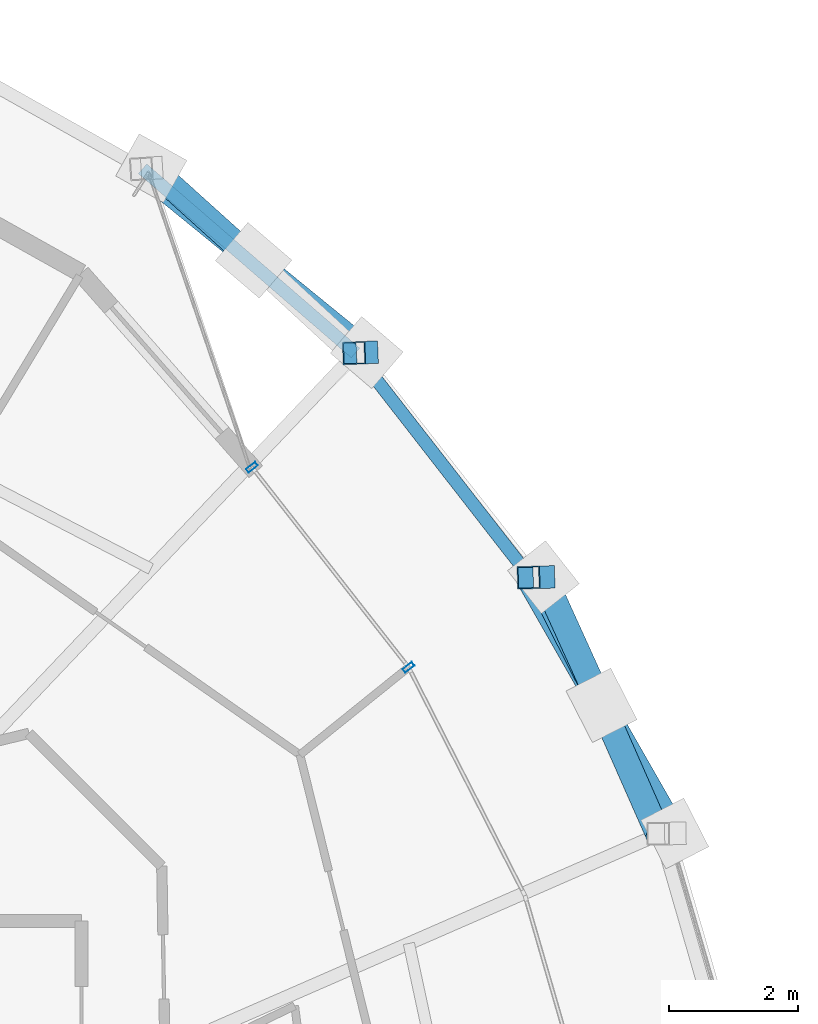
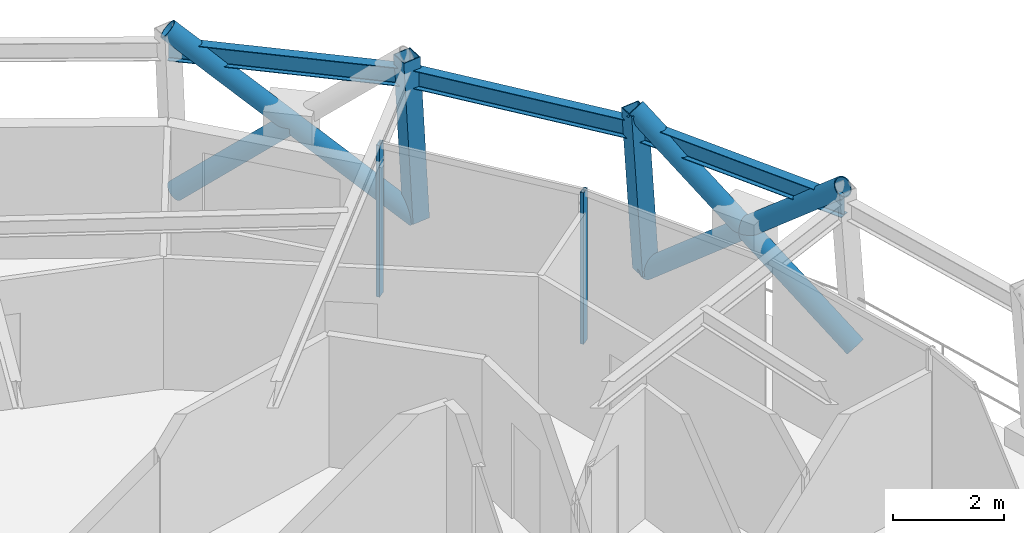
# One storey, part 8 of 15: 9 members, 3 beams, 1 element without a shape of its own.
"""IFC4 building model written with IfcOpenShell, lengths in metres."""

from ifc_helpers import new_model, si_unit, direction, frame, origin, origin_2d, place, context, subcontext, project, spatial, hollow_rectangle, hollow_circle, i_section, extrude, material, layer, layer_set, material_profile, profile_set, type_object, element, aggregate, save


model = new_model("IFC4")

# Units and contexts
model_context = context("Model", 3, precision=1e-05, world=origin(), true_north=direction((0.0, 1.0)))
body_context = subcontext(model_context, "Body", "Model", "MODEL_VIEW")
ifc_project = project(units=[si_unit("LENGTHUNIT", "METRE"), si_unit("AREAUNIT", "SQUARE_METRE"), si_unit("VOLUMEUNIT", "CUBIC_METRE"), si_unit("PLANEANGLEUNIT", "RADIAN"), si_unit("MASSUNIT", "GRAM", prefix="KILO")], contexts=[model_context])

# Site, building, storey
site_placement = place(None, origin())
site = spatial("IfcSite", under=ifc_project, at=site_placement, CompositionType="ELEMENT")
building_placement = place(site_placement, origin())
building = spatial("IfcBuilding", under=site, at=building_placement, Name="Veldorina Hangang Commons", CompositionType="ELEMENT")
storey_placement = place(building_placement, frame((0.0, 0.0, 261.60009765625)))
storey = spatial("IfcBuildingStorey", under=building, at=storey_placement, Name="L68", CompositionType="ELEMENT", Elevation=261.60009765625)

# Beams
ifc_material_1 = material(Name="Steel SM355-TMC", Category="steel")
ifc_material_profile_1 = material_profile(ifc_material_1, i_section(OverallWidth=0.199951171875, OverallDepth=0.39990234375, WebThickness=0.008056640625, FlangeThickness=0.012939453125, FilletRadius=0.012939453125, at=origin_2d()), Name="H-400x200x8x13")
ifc_profile_set_1 = profile_set([ifc_material_profile_1], Name="Steel SM355-TMC")
beam_type = type_object("IfcBeamType", Name="BM-RB400", PredefinedType="BEAM", material=ifc_profile_set_1)
beam_1_placement = place(storey_placement, frame((52.168701171875, 32.805908203125, 3.159912109375), z_axis=(-0.452285910788, 0.891873003797, 0.0), x_axis=(-0.891873003797, -0.452285910788, 0.0)))
element("IfcBeam", 1, at=beam_1_placement, inside=storey, type_object=beam_type, Name="L68 perimeter hoop ring beam 02", PredefinedType="BEAM", context=body_context, shape_type="SweptSolid", body=[
    extrude(i_section(OverallWidth=0.199951171875, OverallDepth=0.39990234375, WebThickness=0.008056640625, FlangeThickness=0.012939453125, FilletRadius=0.012939453125, at=origin_2d()), origin(), (0.0, 0.0, 1.0), 4.460205078125),
])
beam_2_placement = place(storey_placement, frame((50.1513671875, 36.783935546875, 3.159912109375), z_axis=(-0.614319180396, 0.78905763072, 0.0), x_axis=(-0.78905763072, -0.614319180396, 0.0)))
element("IfcBeam", 2, at=beam_2_placement, inside=storey, type_object=beam_type, Name="L68 perimeter hoop ring beam 03", PredefinedType="BEAM", context=body_context, shape_type="SweptSolid", body=[
    extrude(i_section(OverallWidth=0.199951171875, OverallDepth=0.39990234375, WebThickness=0.008056640625, FlangeThickness=0.012939453125, FilletRadius=0.012939453125, at=origin_2d()), origin(), (0.0, 0.0, 1.0), 4.419189453125),
])
beam_3_placement = place(storey_placement, frame((47.4365234375, 40.27099609375, 3.159912109375), z_axis=(-0.756305697563, 0.654218382372, 0.0), x_axis=(-0.654218382372, -0.756305697563, 0.0)))
element("IfcBeam", 3, at=beam_3_placement, inside=storey, type_object=beam_type, Name="L68 perimeter hoop ring beam 04", PredefinedType="BEAM", context=body_context, shape_type="SweptSolid", body=[
    extrude(i_section(OverallWidth=0.199951171875, OverallDepth=0.39990234375, WebThickness=0.008056640625, FlangeThickness=0.012939453125, FilletRadius=0.012939453125, at=origin_2d()), origin(), (0.0, 0.0, 1.0), 4.3740234375),
])

# Curtain wall, members
ifc_material_2 = material(Name="Glass Low-E Selective", Category="glass")
ifc_layer = layer(ifc_material_2, 0.179931640625)
ifc_layer_set = layer_set([ifc_layer], Name="Glass Low-E Selective")
curtain_wall_type = type_object("IfcCurtainWallType", Name="CW-SYS-Z3", PredefinedType="NOTDEFINED", material=ifc_layer_set)
curtain_wall_placement = place(storey_placement, origin())
curtain_wall = element("IfcCurtainWall", 4, at=curtain_wall_placement, inside=storey, type_object=curtain_wall_type, Name="L68 unitised curtain wall CW-L68-R2", PredefinedType="NOTDEFINED")
ifc_material_3 = material(Name="Aluminium Anodized AA6063-T6", Category="aluminium")
ifc_material_profile_2 = material_profile(ifc_material_3, hollow_rectangle(XDim=0.070068359375, YDim=0.179931640625, WallThickness=0.00390625, at=origin_2d()), Name="ALU-RHS-180x70x4")
ifc_profile_set_2 = profile_set([ifc_material_profile_2], Name="Aluminium Anodized AA6063-T6")
member_type_1 = type_object("IfcMemberType", Name="CW-MUL-180", PredefinedType="MULLION", material=ifc_profile_set_2)
member_1_placement = place(storey_placement, frame((48.259521484375, 35.389892578125, 0.0), z_axis=(0.0, 0.0, 1.0), x_axis=(-0.616431370541, 0.787408639407, 0.0)))
member_1 = element("IfcMember", 5, at=member_1_placement, type_object=member_type_1, Name="CW-L68-R2 vertical mullion 3", PredefinedType="MULLION", context=body_context, shape_type="SweptSolid", body=[
    extrude(hollow_rectangle(XDim=0.070068359375, YDim=0.179931640625, WallThickness=0.00390625, at=origin_2d()), origin(), (0.0, 0.0, 1.0), 3.31982421875),
])
member_2_placement = place(storey_placement, frame((45.827392578125, 38.49658203125, 0.0), z_axis=(0.0, 0.0, 1.0), x_axis=(0.616431370541, -0.787408639407, 0.0)))
member_2 = element("IfcMember", 6, at=member_2_placement, type_object=member_type_1, Name="CW-L68-R2 vertical mullion 4", PredefinedType="MULLION", context=body_context, shape_type="SweptSolid", body=[
    extrude(hollow_rectangle(XDim=0.070068359375, YDim=0.179931640625, WallThickness=0.00390625, at=origin_2d()), origin(), (0.0, 0.0, 1.0), 3.31982421875),
])
aggregate(curtain_wall, [member_1, member_2])

# Members
ifc_material_profile_3 = material_profile(ifc_material_1, hollow_circle(Radius=0.199951171875, WallThickness=0.02001953125, at=origin_2d()), Name="CHS-400x20")
ifc_profile_set_3 = profile_set([ifc_material_profile_3], Name="Steel SM355-TMC")
member_type_2 = type_object("IfcMemberType", Name="DG-CHS400", PredefinedType="BRACE", material=ifc_profile_set_3)
member_3_placement = place(storey_placement, frame((52.394775390625, 32.809814453125, 0.0), z_axis=(-0.390129201629, 0.682359243043, 0.618211185171), x_axis=(-0.868128230081, -0.496339980393, 0.0)))
element("IfcMember", 7, at=member_3_placement, inside=storey, type_object=member_type_2, Name="L68 continuous perimeter diagrid brace 02", PredefinedType="BRACE", context=body_context, shape_type="SweptSolid", body=[
    extrude(hollow_circle(Radius=0.199951171875, WallThickness=0.02001953125, at=origin_2d()), origin(), (0.0, 0.0, 1.0), 5.822998046875),
])
member_4_placement = place(storey_placement, frame((50.354736328125, 36.789794921875, 0.0), z_axis=(0.318544697544, -0.702591010383, 0.636313718064), x_axis=(0.910763973252, 0.412927336254, 0.0)))
element("IfcMember", 8, at=member_4_placement, inside=storey, type_object=member_type_2, Name="L68 split perimeter diagrid lower brace 03", PredefinedType="BRACE", context=body_context, shape_type="SweptSolid", body=[
    extrude(hollow_circle(Radius=0.199951171875, WallThickness=0.02001953125, at=origin_2d()), origin(), (0.0, 0.0, 1.0), 2.832763671875),
])
member_5_placement = place(storey_placement, frame((51.257080078125, 34.799560546875, 1.802490234375), z_axis=(0.311508697755, -0.705884757825, 0.636151742821), x_axis=(0.914875221097, 0.403736708539, 0.0)))
element("IfcMember", 9, at=member_5_placement, inside=storey, type_object=member_type_2, Name="L68 split perimeter diagrid upper brace 03", PredefinedType="BRACE", context=body_context, shape_type="SweptSolid", body=[
    extrude(hollow_circle(Radius=0.199951171875, WallThickness=0.02001953125, at=origin_2d()), origin(), (0.0, 0.0, 1.0), 2.825439453125),
])
member_6_placement = place(storey_placement, frame((47.609619140625, 40.2783203125, 0.0), z_axis=(-0.606104749735, 0.494032231667, 0.623353179524), x_axis=(-0.631802912088, -0.775129073302, 0.0)))
element("IfcMember", 10, at=member_6_placement, inside=storey, type_object=member_type_2, Name="L68 continuous perimeter diagrid brace 04", PredefinedType="BRACE", context=body_context, shape_type="SweptSolid", body=[
    extrude(hollow_circle(Radius=0.199951171875, WallThickness=0.02001953125, at=origin_2d()), origin(), (0.0, 0.0, 1.0), 5.77490234375),
])
member_7_placement = place(storey_placement, frame((44.264404296875, 43.141357421875, 0.0), z_axis=(0.567455722018, -0.511285804253, 0.645430732084), x_axis=(0.669381009605, 0.74291928497, 0.0)))
element("IfcMember", 11, at=member_7_placement, inside=storey, type_object=member_type_2, Name="L68 split perimeter diagrid lower brace 05", PredefinedType="BRACE", context=body_context, shape_type="SweptSolid", body=[
    extrude(hollow_circle(Radius=0.199951171875, WallThickness=0.02001953125, at=origin_2d()), origin(), (0.0, 0.0, 1.0), 2.799072265625),
])
ifc_material_profile_4 = material_profile(ifc_material_1, hollow_rectangle(XDim=0.35009765625, YDim=0.35009765625, WallThickness=0.01611328125, at=origin_2d()), Name="SHS-350x350x16")
ifc_profile_set_4 = profile_set([ifc_material_profile_4], Name="Steel SM355-TMC")
member_type_3 = type_object("IfcMemberType", Name="STR-SHS350", PredefinedType="STRUT", material=ifc_profile_set_4)
member_8_placement = place(storey_placement, frame((50.354736328125, 36.789794921875, 0.0), z_axis=(-0.064227804467, -0.001827345333, 0.997933589946), x_axis=(0.028439493074, -0.999595515813, 0.0)))
element("IfcMember", 12, at=member_8_placement, inside=storey, type_object=member_type_3, Name="L68 perimeter ring node post 03", PredefinedType="STRUT", context=body_context, shape_type="SweptSolid", body=[
    extrude(hollow_rectangle(XDim=0.35009765625, YDim=0.35009765625, WallThickness=0.01611328125, at=origin_2d()), origin(), (0.0, 0.0, 1.0), 3.607421875),
])
member_9_placement = place(storey_placement, frame((47.609619140625, 40.2783203125, 0.0), z_axis=(-0.054716001142, -0.002302405989, 0.998499303027), x_axis=(0.042042003341, -0.999115844112, 0.0)))
element("IfcMember", 13, at=member_9_placement, inside=storey, type_object=member_type_3, Name="L68 perimeter ring node post 04", PredefinedType="STRUT", context=body_context, shape_type="SweptSolid", body=[
    extrude(hollow_rectangle(XDim=0.35009765625, YDim=0.35009765625, WallThickness=0.01611328125, at=origin_2d()), origin(), (0.0, 0.0, 1.0), 3.605224609375),
])

save(model, "model.ifc")
